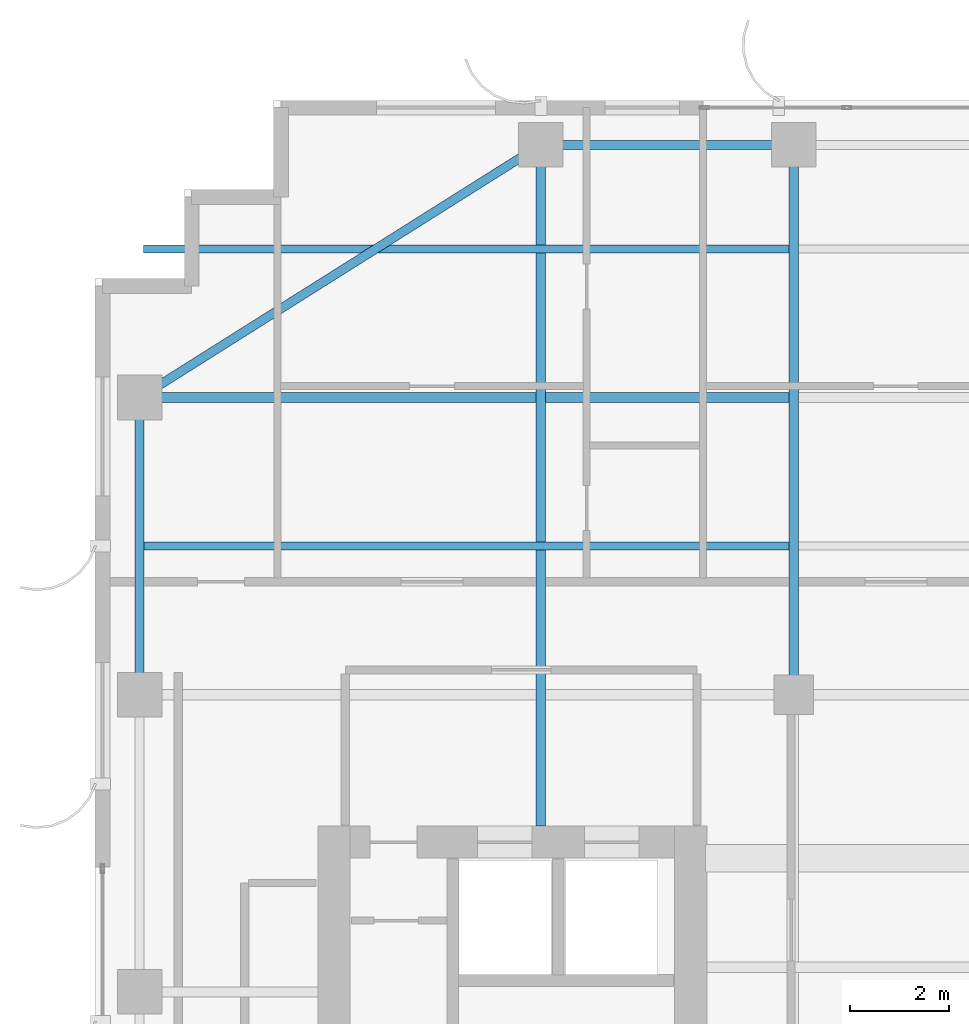
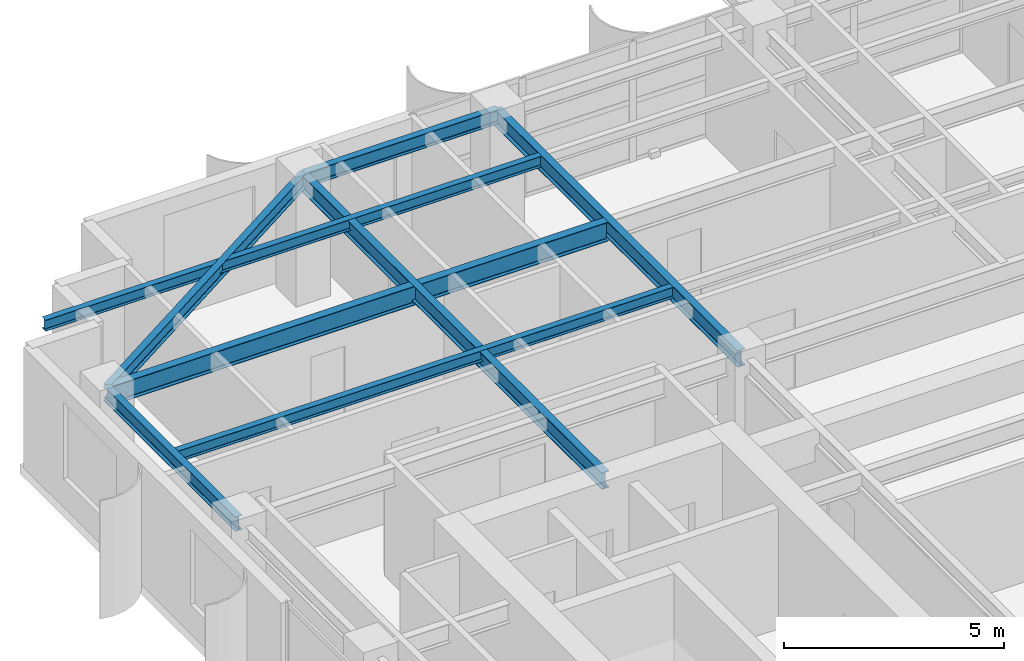
# One storey, part 11 of 23: 8 beams.
"""IFC4 building model written with IfcOpenShell, lengths in metres."""

import ifcopenshell
import ifcopenshell.guid

model = None  # the IFC model being written
_history = None  # IfcOwnerHistory: only IFC2X3 demands one
_inside = {}  # id of a spatial element -> (the spatial element, [elements in it])
_under = {}  # id of a project, library or spatial element -> (it, [spatial elements below it])
_declared = {}  # id of a project -> (the project, [libraries it declares])
_typed = {}  # id of a type object -> (the type object, [elements of that type])
_made_of = {}  # id of a material, layer set ... -> (it, [elements and type objects made of it])


def new_model(schema):
    """Start an empty IFC model of exactly this schema.

    Asked for "IFC4X3", IfcOpenShell would pick the latest addendum, in which some entities
    have other attributes; the version numbers below select the first issue.
    IFC2X3 requires an IfcOwnerHistory on every rooted entity: one is made here for all.
    """
    global model, _history
    if schema == "IFC4X3":
        model = ifcopenshell.file(schema_version=(4, 3, 0, 0))
    else:
        model = ifcopenshell.file(schema=schema)
    _inside.clear()
    _under.clear()
    _declared.clear()
    _typed.clear()
    _made_of.clear()
    _history = None
    if model.schema == "IFC2X3":
        org = make("IfcOrganization", Name="unknown")
        user = make(
            "IfcPersonAndOrganization",
            ThePerson=make("IfcPerson", FamilyName="unknown"),
            TheOrganization=org,
        )
        app = make(
            "IfcApplication",
            ApplicationDeveloper=org,
            Version="unknown",
            ApplicationFullName="unknown",
            ApplicationIdentifier="unknown",
        )
        _history = make(
            "IfcOwnerHistory",
            OwningUser=user,
            OwningApplication=app,
            ChangeAction="ADDED",
            CreationDate=0,
        )
    return model


def make(cls, **values):
    """One entity of the class cls with the attributes given. An attribute that is None is left unset."""
    return model.create_entity(
        cls, **{name: value for name, value in values.items() if value is not None}
    )


def rooted(cls, **values):
    """An entity with a GlobalId (a new one), such as an element, a storey or a relation."""
    return make(cls, GlobalId=ifcopenshell.guid.new(), OwnerHistory=_history, **values)


def si_unit(unit_type, name, prefix=None):
    """IfcSIUnit, for example si_unit("LENGTHUNIT", "METRE", prefix="MILLI")."""
    return make("IfcSIUnit", UnitType=unit_type, Prefix=prefix, Name=name)


def assignment(units):
    """IfcUnitAssignment: the units of a project."""
    return None if units is None else make("IfcUnitAssignment", Units=units)


def point(xyz):
    """IfcCartesianPoint."""
    return None if xyz is None else make("IfcCartesianPoint", Coordinates=xyz)


def direction(xyz):
    """IfcDirection."""
    return None if xyz is None else make("IfcDirection", DirectionRatios=xyz)


def frame(location, z_axis=None, x_axis=None):
    """IfcAxis2Placement3D, a coordinate frame: its origin and axes. An axis left out is left unset."""
    return make(
        "IfcAxis2Placement3D",
        Location=point(location),
        Axis=direction(z_axis),
        RefDirection=direction(x_axis),
    )


def frame_2d(location, x_axis=None):
    """IfcAxis2Placement2D, a coordinate frame in the plane: its origin and x axis."""
    return make(
        "IfcAxis2Placement2D", Location=point(location), RefDirection=direction(x_axis)
    )


def origin():
    """The frame at (0, 0, 0) with its axes left unset."""
    return frame((0.0, 0.0, 0.0))


def origin_2d():
    """The frame at (0, 0) in the plane with its x axis left unset."""
    return frame_2d((0.0, 0.0))


def place(relative_to, where):
    """IfcLocalPlacement: puts the frame where relative to a parent placement (None: the world)."""
    return make(
        "IfcLocalPlacement", PlacementRelTo=relative_to, RelativePlacement=where
    )


def context(
    kind, dimensions, precision=None, world=None, true_north=None, identifier=None
):
    """IfcGeometricRepresentationContext, for example the 3D "Model" context."""
    return make(
        "IfcGeometricRepresentationContext",
        ContextIdentifier=identifier,
        ContextType=kind,
        CoordinateSpaceDimension=dimensions,
        Precision=precision,
        WorldCoordinateSystem=world,
        TrueNorth=true_north,
    )


def subcontext(parent, identifier, kind, view, scale=None):
    """IfcGeometricRepresentationSubContext, for example "Body" below "Model"."""
    return make(
        "IfcGeometricRepresentationSubContext",
        ContextIdentifier=identifier,
        ContextType=kind,
        ParentContext=parent,
        TargetScale=scale,
        TargetView=view,
    )


def project(units=None, contexts=None):
    """IfcProject with its units and contexts."""
    return rooted(
        "IfcProject",
        Name="project",
        RepresentationContexts=contexts,
        UnitsInContext=assignment(units),
    )


def spatial(cls, under=None, at=None, **own):
    """A site, building, storey or space (cls), placed at a placement, below another one or the project."""
    s = rooted(cls, ObjectPlacement=at, **own)
    if under is not None:
        _under.setdefault(under.id(), (under, []))[1].append(s)
    return s


def profile(cls, at=None, kind="AREA", **sizes):
    """A parametric profile (cls). Its sizes go by their IFC names, for example OverallWidth=200.0."""
    return make(cls, ProfileType=kind, Position=at, **sizes)


def i_section(**sizes):
    """IfcIShapeProfileDef."""
    return profile("IfcIShapeProfileDef", **sizes)


def extrude(swept, where, along, depth):
    """IfcExtrudedAreaSolid: the profile swept, set in the frame where, extruded along a direction by depth."""
    return make(
        "IfcExtrudedAreaSolid",
        SweptArea=swept,
        Position=where,
        ExtrudedDirection=direction(along),
        Depth=depth,
    )


def shape(context_of_items, identifier, shape_type, items):
    """IfcShapeRepresentation: the items that make up one representation, for example the "Body"."""
    return make(
        "IfcShapeRepresentation",
        ContextOfItems=context_of_items,
        RepresentationIdentifier=identifier,
        RepresentationType=shape_type,
        Items=items,
    )


def source(mapping_origin, context_of_items, identifier, shape_type, items):
    """IfcRepresentationMap: a shape defined once, which mapped items show again and again."""
    return make(
        "IfcRepresentationMap",
        MappingOrigin=mapping_origin,
        MappedRepresentation=shape(context_of_items, identifier, shape_type, items),
    )


def transform(
    local_origin,
    x_axis=None,
    y_axis=None,
    z_axis=None,
    scale=None,
    scale2=None,
    scale3=None,
    uniform=True,
):
    """IfcCartesianTransformationOperator3D, or its non-uniform kind. x_axis, y_axis, z_axis: its Axis1, 2, 3."""
    if uniform:
        return make(
            "IfcCartesianTransformationOperator3D",
            Axis1=direction(x_axis),
            Axis2=direction(y_axis),
            LocalOrigin=point(local_origin),
            Scale=scale,
            Axis3=direction(z_axis),
        )
    return make(
        "IfcCartesianTransformationOperator3DnonUniform",
        Axis1=direction(x_axis),
        Axis2=direction(y_axis),
        LocalOrigin=point(local_origin),
        Scale=scale,
        Axis3=direction(z_axis),
        Scale2=scale2,
        Scale3=scale3,
    )


def mapped(mapping_source, mapping_target):
    """IfcMappedItem: shows the shape of a source again, moved by a transform."""
    return make(
        "IfcMappedItem", MappingSource=mapping_source, MappingTarget=mapping_target
    )


def material(Name=None, Category=None):
    """IfcMaterial."""
    return make("IfcMaterial", Name=Name, Category=Category)


def material_profile(
    of_material, cross_section, Name=None, Category=None, Priority=None
):
    """IfcMaterialProfile: a cross section and its material."""
    return make(
        "IfcMaterialProfile",
        Name=Name,
        Material=of_material,
        Profile=cross_section,
        Priority=Priority,
        Category=Category,
    )


def profile_set(profiles, Name=None, composite=None):
    """IfcMaterialProfileSet."""
    return make(
        "IfcMaterialProfileSet",
        Name=Name,
        MaterialProfiles=profiles,
        CompositeProfile=composite,
    )


def made_of(thing, what):
    """Note that an element or type object is made of a material, layer set ...; save() writes the relation."""
    if what is not None:
        _made_of.setdefault(what.id(), (what, []))[1].append(thing)
    return thing


def type_object(cls, material=None, **own):
    """A type object (cls), such as IfcWallType, which elements share."""
    return made_of(rooted(cls, **own), material)


def element(
    cls,
    number,
    at=None,
    inside=None,
    cuts=None,
    type_object=None,
    material=None,
    context=None,
    identifier="Body",
    shape_type=None,
    held_by="IfcProductDefinitionShape",
    body=None,
    shapes=None,
    **own,
):
    """One element of the class cls, such as IfcWall. Its Tag is "e" and its number.

    at: its placement. inside: the storey or other place that contains it. cuts: it is an
    opening in that element (IfcRelVoidsElement). A single representation is given by context,
    identifier, shape_type and body (its items); several are given by shapes. held_by: the class
    of the entity that holds the representations. save() writes the other relations.
    """
    e = rooted(cls, Tag="e%d" % number, ObjectPlacement=at, **own)
    if body is not None:
        shapes = [shape(context, identifier, shape_type, body)]
    if shapes is not None:
        e.Representation = make(held_by, Representations=shapes)
    if inside is not None:
        _inside.setdefault(inside.id(), (inside, []))[1].append(e)
    if cuts is not None:
        rooted(
            "IfcRelVoidsElement", RelatingBuildingElement=cuts, RelatedOpeningElement=e
        )
    if type_object is not None:
        _typed.setdefault(type_object.id(), (type_object, []))[1].append(e)
    return made_of(e, material)


def aggregate(whole, parts):
    """IfcRelAggregates: a whole, such as a stair, and the parts it consists of."""
    return rooted("IfcRelAggregates", RelatingObject=whole, RelatedObjects=parts)


def save(model, path):
    """Write the relations noted so far, then the file.

    IfcRelAggregates (storeys below a building ...), IfcRelContainedInSpatialStructure (elements
    in a storey), IfcRelDefinesByType, IfcRelAssociatesMaterial and IfcRelDeclares: one each for
    every whole, place, type object, material and project.
    """
    for whole, parts in _under.values():
        aggregate(whole, parts)
    for where, things in _inside.values():
        rooted(
            "IfcRelContainedInSpatialStructure",
            RelatedElements=things,
            RelatingStructure=where,
        )
    for kind, things in _typed.values():
        rooted("IfcRelDefinesByType", RelatedObjects=things, RelatingType=kind)
    for what, things in _made_of.values():
        rooted("IfcRelAssociatesMaterial", RelatedObjects=things, RelatingMaterial=what)
    for by, libraries in _declared.values():
        rooted("IfcRelDeclares", RelatingContext=by, RelatedDefinitions=libraries)
    model.write(path)


model = new_model("IFC4")

# Units and contexts
model_context = context("Model", 3, precision=1e-05, world=origin(), true_north=direction((0.0, 1.0)))
body_context = subcontext(model_context, "Body", "Model", "MODEL_VIEW")
ifc_project = project(units=[si_unit("LENGTHUNIT", "METRE"), si_unit("AREAUNIT", "SQUARE_METRE"), si_unit("VOLUMEUNIT", "CUBIC_METRE"), si_unit("PLANEANGLEUNIT", "RADIAN"), si_unit("MASSUNIT", "GRAM", prefix="KILO")], contexts=[model_context])

# Site, building, storey
site_placement = place(None, origin())
site = spatial("IfcSite", under=ifc_project, at=site_placement, CompositionType="ELEMENT")
building_placement = place(site_placement, origin())
building = spatial("IfcBuilding", under=site, at=building_placement, Name="Khoralis Quay Care Tower", CompositionType="ELEMENT")
storey_placement = place(building_placement, frame((0.0, 0.0, 173.699951171875)))
storey = spatial("IfcBuildingStorey", under=building, at=storey_placement, Name="L45", CompositionType="ELEMENT", Elevation=173.699951171875)

# Beams
ifc_material = material(Name="Steel S355", Category="steel")
ifc_material_profile_1 = material_profile(ifc_material, i_section(OverallWidth=0.179931640625, OverallDepth=0.39990234375, WebThickness=0.008544921875, FlangeThickness=0.013427734375, FilletRadius=0.02099609375, at=origin_2d()), Name="Steel S355")
ifc_profile_set_1 = profile_set([ifc_material_profile_1], Name="Steel S355")
beam_type_1 = type_object("IfcBeamType", Name="BM-IPE400", PredefinedType="SPANDREL", material=ifc_profile_set_1)
shared_shape_1 = source(origin(), body_context, "Body", "SweptSolid", [
    extrude(i_section(OverallWidth=0.179931640625, OverallDepth=0.39990234375, WebThickness=0.008544921875, FlangeThickness=0.013427734375, FilletRadius=0.02099609375, at=origin_2d()), origin(), (0.0, 0.0, 1.0), 6.0),
])
beam_1_placement = place(storey_placement, frame((3.89990234375, 30.0, 3.14013671875), z_axis=(0.0, 1.0, 0.0), x_axis=(-1.0, 0.0, 0.0)))
element("IfcBeam", 1, at=beam_1_placement, inside=storey, type_object=beam_type_1, Name="BM-TSP-L45-13", PredefinedType="SPANDREL", context=body_context, shape_type="MappedRepresentation", body=[
    mapped(shared_shape_1, transform((0.0, 0.0, 0.0), scale=1.0)),
])
shared_shape_2 = source(origin(), body_context, "Body", "SweptSolid", [
    extrude(i_section(OverallWidth=0.179931640625, OverallDepth=0.39990234375, WebThickness=0.008544921875, FlangeThickness=0.013427734375, FilletRadius=0.02099609375, at=origin_2d()), origin(), (0.0, 0.0, 1.0), 5.10009765625),
])
beam_2_placement = place(storey_placement, frame((12.0, 41.10009765625, 3.14013671875), z_axis=(1.0, 0.0, 0.0), x_axis=(0.0, 1.0, 0.0)))
element("IfcBeam", 2, at=beam_2_placement, inside=storey, type_object=beam_type_1, Name="BM-TSP-L45-05", PredefinedType="SPANDREL", context=body_context, shape_type="MappedRepresentation", body=[
    mapped(shared_shape_2, transform((0.0, 0.0, 0.0), scale=1.0)),
])
shared_shape_3 = source(origin(), body_context, "Body", "SweptSolid", [
    extrude(i_section(OverallWidth=0.179931640625, OverallDepth=0.39990234375, WebThickness=0.008544921875, FlangeThickness=0.013427734375, FilletRadius=0.02099609375, at=origin_2d()), origin(), (0.0, 0.0, 1.0), 9.572021484375),
])
beam_3_placement = place(storey_placement, frame((12.0, 41.10009765625, 3.14013671875), z_axis=(-0.846231136359, -0.532815975602, 0.0), x_axis=(0.532815975602, -0.846231136359, 0.0)))
element("IfcBeam", 3, at=beam_3_placement, inside=storey, type_object=beam_type_1, Name="BM-TCR-L45-21", PredefinedType="SPANDREL", context=body_context, shape_type="MappedRepresentation", body=[
    mapped(shared_shape_3, transform((0.0, 0.0, 0.0), scale=1.0)),
])
ifc_material_profile_2 = material_profile(ifc_material, i_section(OverallWidth=0.208984375, OverallDepth=0.532958984375, WebThickness=0.01025390625, FlangeThickness=0.015625, FilletRadius=0.01611328125, at=origin_2d()), Name="Steel S355")
ifc_profile_set_2 = profile_set([ifc_material_profile_2], Name="Steel S355")
beam_type_2 = type_object("IfcBeamType", Name="BM-W530X92", PredefinedType="BEAM", material=ifc_profile_set_2)
shared_shape_4 = source(origin(), body_context, "Body", "SweptSolid", [
    extrude(i_section(OverallWidth=0.208984375, OverallDepth=0.532958984375, WebThickness=0.01025390625, FlangeThickness=0.015625, FilletRadius=0.01611328125, at=origin_2d()), origin(), (0.0, 0.0, 1.0), 13.1162109375),
])
beam_4_placement = place(storey_placement, frame((3.89990234375, 36.0, 3.073486328125), z_axis=(1.0, 0.0, 0.0), x_axis=(0.0, 1.0, 0.0)))
element("IfcBeam", 4, at=beam_4_placement, inside=storey, type_object=beam_type_2, Name="BM-TGXW-L45-360", PredefinedType="BEAM", context=body_context, shape_type="MappedRepresentation", body=[
    mapped(shared_shape_4, transform((0.0, 0.0, 0.0), scale=1.0)),
])
ifc_material_profile_3 = material_profile(ifc_material, i_section(OverallWidth=0.19189453125, OverallDepth=0.462890625, WebThickness=0.010498046875, FlangeThickness=0.017578125, FilletRadius=0.014892578125, at=origin_2d()), Name="Steel S355")
ifc_profile_set_3 = profile_set([ifc_material_profile_3], Name="Steel S355")
beam_type_3 = type_object("IfcBeamType", Name="BM-W460X89", PredefinedType="BEAM", material=ifc_profile_set_3)
shared_shape_5 = source(origin(), body_context, "Body", "SweptSolid", [
    extrude(i_section(OverallWidth=0.19189453125, OverallDepth=0.462890625, WebThickness=0.010498046875, FlangeThickness=0.017578125, FilletRadius=0.014892578125, at=origin_2d()), origin(), (0.0, 0.0, 1.0), 11.10009765625),
])
beam_5_placement = place(storey_placement, frame((17.10009765625, 30.0, 3.108642578125), z_axis=(0.0, 1.0, 0.0), x_axis=(-1.0, 0.0, 0.0)))
element("IfcBeam", 5, at=beam_5_placement, inside=storey, type_object=beam_type_3, Name="BM-TGYN-L45-171", PredefinedType="BEAM", context=body_context, shape_type="MappedRepresentation", body=[
    mapped(shared_shape_5, transform((0.0, 0.0, 0.0), scale=1.0)),
])
shared_shape_6 = source(origin(), body_context, "Body", "SweptSolid", [
    extrude(i_section(OverallWidth=0.19189453125, OverallDepth=0.462890625, WebThickness=0.010498046875, FlangeThickness=0.017578125, FilletRadius=0.014892578125, at=origin_2d()), origin(), (0.0, 0.0, 1.0), 13.752197265625),
])
beam_6_placement = place(storey_placement, frame((12.0, 27.347900390625, 3.108642578125), z_axis=(0.0, 1.0, 0.0), x_axis=(-1.0, 0.0, 0.0)))
element("IfcBeam", 6, at=beam_6_placement, inside=storey, type_object=beam_type_3, Name="BM-TGYN-L45-120", PredefinedType="BEAM", context=body_context, shape_type="MappedRepresentation", body=[
    mapped(shared_shape_6, transform((0.0, 0.0, 0.0), scale=1.0)),
])
ifc_material_profile_4 = material_profile(ifc_material, i_section(OverallWidth=0.1650390625, OverallDepth=0.31005859375, WebThickness=0.005859375, FlangeThickness=0.009765625, FilletRadius=0.011962890625, at=origin_2d()), Name="Steel S355")
ifc_profile_set_4 = profile_set([ifc_material_profile_4], Name="Steel S355")
beam_type_4 = type_object("IfcBeamType", Name="BM-W310X39", PredefinedType="JOIST", material=ifc_profile_set_4)
shared_shape_7 = source(origin(), body_context, "Body", "SweptSolid", [
    extrude(i_section(OverallWidth=0.1650390625, OverallDepth=0.31005859375, WebThickness=0.005859375, FlangeThickness=0.009765625, FilletRadius=0.011962890625, at=origin_2d()), origin(), (0.0, 0.0, 1.0), 13.0400390625),
])
for number, where, z_axis, x_axis, name in (
    (7, (3.97607421875, 33.0, 3.18505859375), (1.0, 0.0, 0.0), (0.0, 1.0, 0.0), "BM-TJS-L45-26"),
    (8, (3.97607421875, 39.0, 3.18505859375), (1.0, 0.0, 0.0), (0.0, 1.0, 0.0), "BM-TJS-L45-29"),
):
    element("IfcBeam", number, at=place(storey_placement, frame(where, z_axis=z_axis, x_axis=x_axis)), inside=storey, type_object=beam_type_4, Name=name, PredefinedType="JOIST", context=body_context, shape_type="MappedRepresentation", body=[
        mapped(shared_shape_7, transform((0.0, 0.0, 0.0), scale=1.0)),
    ])

save(model, "model.ifc")
